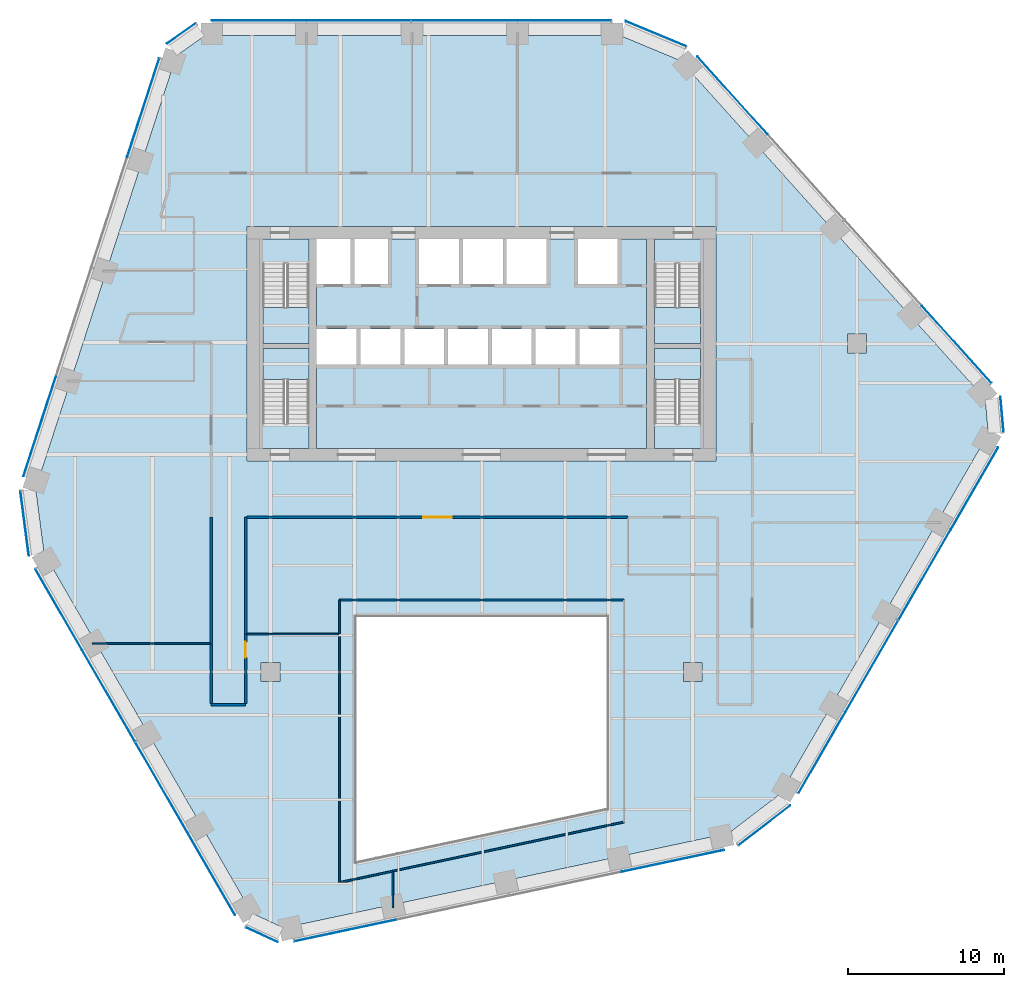
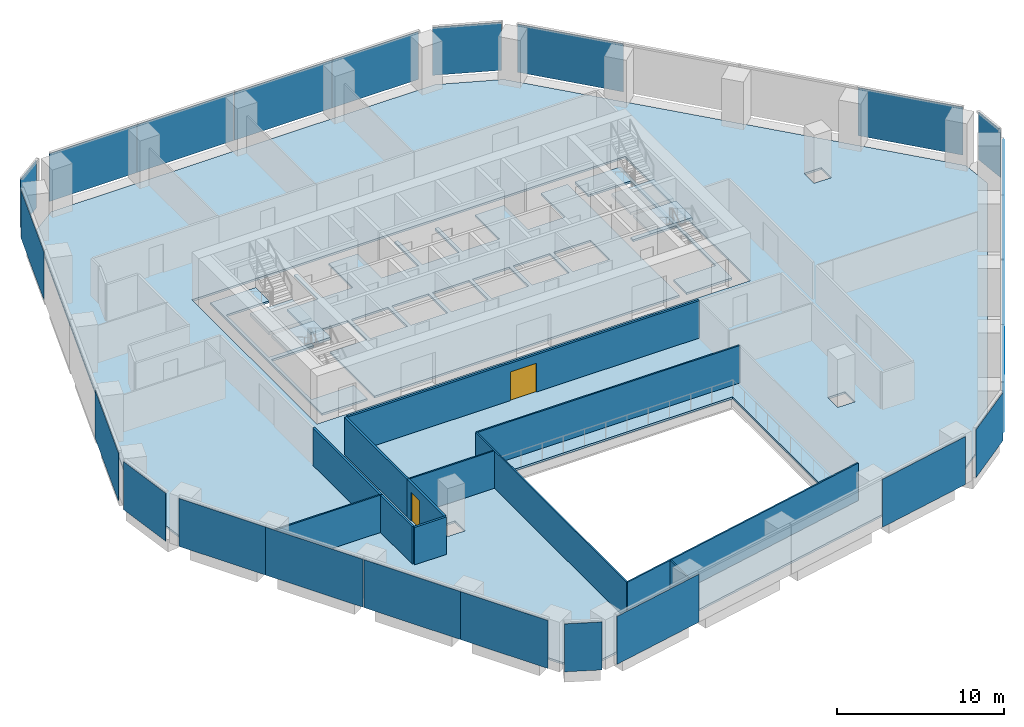
# One storey, part 10 of 16: 24 plates, 12 walls, 8 slabs, 2 doors, 2 openings, 16 elements without a shape of their own.
"""IFC4 building model written with IfcOpenShell, lengths in metres."""

from ifc_helpers import new_model, si_unit, direction, frame, frame_2d, origin, origin_2d, place, context, subcontext, project, spatial, polyline, rectangle, outline, extrude, material, layer, layer_set, type_object, element, fill, aggregate, save


model = new_model("IFC4")

# Units and contexts
model_context = context("Model", 3, precision=1e-05, world=origin(), true_north=direction((0.0, 1.0)))
body_context = subcontext(model_context, "Body", "Model", "MODEL_VIEW")
ifc_project = project(units=[si_unit("LENGTHUNIT", "METRE"), si_unit("AREAUNIT", "SQUARE_METRE"), si_unit("VOLUMEUNIT", "CUBIC_METRE"), si_unit("PLANEANGLEUNIT", "RADIAN"), si_unit("MASSUNIT", "GRAM", prefix="KILO")], contexts=[model_context])

# Site, building, storey
site_placement = place(None, origin())
site = spatial("IfcSite", under=ifc_project, at=site_placement, CompositionType="ELEMENT")
building_placement = place(site_placement, origin())
building = spatial("IfcBuilding", under=site, at=building_placement, Name="Isthmus Gate Tower", CompositionType="ELEMENT")
storey_placement = place(building_placement, frame((0.0, 0.0, 151.699951171875)))
storey = spatial("IfcBuildingStorey", under=building, at=storey_placement, Name="L37", CompositionType="ELEMENT", Elevation=151.699951171875)

# Slabs
ifc_material_1 = material(Name="Concrete f'c 40 MPa", Category="concrete")
ifc_layer_1 = layer(ifc_material_1, 0.14990234375)
ifc_layer_set_1 = layer_set([ifc_layer_1], Name="COMPOSITE FLOOR SLAB 150")
slab_type_1 = type_object("IfcSlabType", Name="COMPOSITE FLOOR SLAB 150", PredefinedType="FLOOR", material=ifc_layer_set_1)
slab_1_placement = place(storey_placement, frame((0.0, 0.0, -0.14990234375)))
element("IfcSlab", 1, at=slab_1_placement, inside=storey, type_object=slab_type_1, Name="str-slab-L37-1", PredefinedType="FLOOR", context=body_context, shape_type="SweptSolid", body=[
    extrude(outline(polyline([(12.72802734375, 25.599365234375), (32.21044921875, 3.9619140625), (32.410400390625, 1.736083984375), (19.116455078125, -21.289306640625), (15.8056640625, -23.822509765625), (-12.674072265625, -29.876220703125), (-14.701416015625, -28.936279296875), (-27.995361328125, -5.91064453125), (-28.53369140625, -1.77685546875), (-19.536376953125, 25.9140625), (-17.708740234375, 27.199951171875), (8.87890625, 27.199951171875), (12.72802734375, 25.599365234375)]), holes=[polyline([(-8.0, -10.0), (-8.0, -25.611083984375), (8.0, -22.210205078125), (8.0, -10.0), (-8.0, -10.0)]), polyline([(-14.10009765625, -12.89990234375), (-14.10009765625, -14.10009765625), (-12.89990234375, -14.10009765625), (-12.89990234375, -12.89990234375), (-14.10009765625, -12.89990234375)]), polyline([(14.10009765625, -12.89990234375), (12.89990234375, -12.89990234375), (12.89990234375, -14.10009765625), (14.10009765625, -14.10009765625), (14.10009765625, -12.89990234375)]), polyline([(-15.0, 15.0), (-15.0, 0.0), (15.0, 0.0), (15.0, 15.0), (-15.0, 15.0)]), polyline([(24.60009765625, 6.89990234375), (24.60009765625, 8.10009765625), (23.39990234375, 8.10009765625), (23.39990234375, 6.89990234375), (24.60009765625, 6.89990234375)])]), origin(), (0.0, 0.0, 1.0), 0.14990234375),
])
ifc_material_2 = material(Name="Concrete f'c 40 MPa", Category="concrete")
ifc_layer_2 = layer(ifc_material_2, 0.14990234375)
ifc_layer_set_2 = layer_set([ifc_layer_2], Name="CORE FLOOR SLAB 150")
slab_type_2 = type_object("IfcSlabType", Name="CORE FLOOR SLAB 150", PredefinedType="FLOOR", material=ifc_layer_set_2)
slab_2_placement = place(storey_placement, frame((0.0, 0.0, -0.14990234375)))
element("IfcSlab", 2, at=slab_2_placement, inside=storey, type_object=slab_type_2, Name="L37 core floor", PredefinedType="FLOOR", context=body_context, shape_type="SweptSolid", body=[
    extrude(outline(polyline([(-11.050048828125, 0.800048828125), (-11.050048828125, 2.402099609375), (-14.0, 2.402099609375), (-14.0, 7.199951171875), (-11.050048828125, 7.199951171875), (-11.050048828125, 7.5), (-14.0, 7.5), (-14.0, 12.597900390625), (-11.050048828125, 12.597900390625), (-11.050048828125, 14.199951171875), (-14.199951171875, 14.199951171875), (-14.199951171875, 0.800048828125), (-11.050048828125, 0.800048828125)])), origin(), (0.0, 0.0, 1.0), 0.14990234375),
])
slab_3_placement = place(storey_placement, frame((0.0, 0.0, -0.14990234375)))
element("IfcSlab", 3, at=slab_3_placement, inside=storey, type_object=slab_type_2, Name="L37 core floor", PredefinedType="FLOOR", context=body_context, shape_type="SweptSolid", body=[
    extrude(outline(polyline([(10.550048828125, 14.199951171875), (8.699951171875, 14.199951171875), (8.699951171875, 11.300048828125), (6.14990234375, 11.300048828125), (6.14990234375, 14.199951171875), (4.14990234375, 14.199951171875), (4.14990234375, 11.300048828125), (1.60009765625, 11.300048828125), (1.60009765625, 14.199951171875), (1.35009765625, 14.199951171875), (1.35009765625, 11.300048828125), (-1.199951171875, 11.300048828125), (-1.199951171875, 14.199951171875), (-1.449951171875, 14.199951171875), (-1.449951171875, 11.300048828125), (-4.0, 11.300048828125), (-4.0, 14.199951171875), (-6.0, 14.199951171875), (-6.0, 11.300048828125), (-8.14990234375, 11.300048828125), (-8.14990234375, 14.199951171875), (-8.39990234375, 14.199951171875), (-8.39990234375, 11.300048828125), (-10.550048828125, 11.300048828125), (-10.550048828125, 8.449951171875), (-8.0, 8.449951171875), (-8.0, 6.14990234375), (-10.550048828125, 6.14990234375), (-10.550048828125, 0.800048828125), (10.550048828125, 0.800048828125), (10.550048828125, 14.199951171875)]), holes=[polyline([(-5.199951171875, 8.449951171875), (-5.199951171875, 6.14990234375), (-7.75, 6.14990234375), (-7.75, 8.449951171875), (-5.199951171875, 8.449951171875)]), polyline([(-2.39990234375, 8.449951171875), (-2.39990234375, 6.14990234375), (-4.949951171875, 6.14990234375), (-4.949951171875, 8.449951171875), (-2.39990234375, 8.449951171875)]), polyline([(0.39990234375, 8.449951171875), (0.39990234375, 6.14990234375), (-2.14990234375, 6.14990234375), (-2.14990234375, 8.449951171875), (0.39990234375, 8.449951171875)]), polyline([(3.199951171875, 8.449951171875), (3.199951171875, 6.14990234375), (0.64990234375, 6.14990234375), (0.64990234375, 8.449951171875), (3.199951171875, 8.449951171875)]), polyline([(6.0, 8.449951171875), (6.0, 6.14990234375), (3.449951171875, 6.14990234375), (3.449951171875, 8.449951171875), (6.0, 8.449951171875)]), polyline([(8.800048828125, 8.449951171875), (8.800048828125, 6.14990234375), (6.25, 6.14990234375), (6.25, 8.449951171875), (8.800048828125, 8.449951171875)])]), origin(), (0.0, 0.0, 1.0), 0.14990234375),
])
slab_4_placement = place(storey_placement, frame((0.0, 0.0, -0.14990234375)))
element("IfcSlab", 4, at=slab_4_placement, inside=storey, type_object=slab_type_2, Name="L37 core floor", PredefinedType="FLOOR", context=body_context, shape_type="SweptSolid", body=[
    extrude(outline(polyline([(11.050048828125, 14.199951171875), (11.050048828125, 12.597900390625), (14.0, 12.597900390625), (14.0, 7.5), (11.050048828125, 7.5), (11.050048828125, 7.199951171875), (14.0, 7.199951171875), (14.0, 2.402099609375), (11.050048828125, 2.402099609375), (11.050048828125, 0.800048828125), (14.199951171875, 0.800048828125), (14.199951171875, 14.199951171875), (11.050048828125, 14.199951171875)])), origin(), (0.0, 0.0, 1.0), 0.14990234375),
])

# Curtain wall, plates
ifc_material_3 = material(Name="Aluminium, pale champagne anodised", Category="aluminium")
ifc_layer_3 = layer(ifc_material_3, 0.199951171875)
ifc_layer_set_3 = layer_set([ifc_layer_3], Name="CW-1 UNITISED CURTAIN WALL 200 DEEP")
curtain_wall_type = type_object("IfcCurtainWallType", Name="CW-1 UNITISED CURTAIN WALL 200 DEEP", PredefinedType="NOTDEFINED", material=ifc_layer_set_3)
curtain_wall_1_placement = place(storey_placement, origin())
curtain_wall_1 = element("IfcCurtainWall", 5, at=curtain_wall_1_placement, inside=storey, type_object=curtain_wall_type, Name="CW-1 N L37", PredefinedType="NOTDEFINED")
ifc_material_4 = material(Name="Laminated low-iron glass, pale blue tint", Category="glass")
ifc_layer_4 = layer(ifc_material_4, 0.035888671875)
ifc_layer_set_4 = layer_set([ifc_layer_4], Name="CW-1 CLEAR GLASS LITE 36")
plate_type = type_object("IfcPlateType", Name="CW-1 CLEAR GLASS LITE 36", PredefinedType="CURTAIN_PANEL", material=ifc_layer_set_4)
plate_1_placement = place(storey_placement, frame((5.283447265625, 28.181884765625, 0.0), z_axis=(0.0, 0.0, 1.0), x_axis=(-1.0, 0.0, 0.0)))
plate_1 = element("IfcPlate", 6, at=plate_1_placement, type_object=plate_type, Name="CW-1 glass lite", PredefinedType="CURTAIN_PANEL", context=body_context, shape_type="SweptSolid", body=[
    extrude(rectangle(XDim=5.990234375, YDim=0.035888671875, at=origin_2d()), origin(), (0.0, 0.0, 1.0), 3.510009765625),
])
plate_2_placement = place(storey_placement, frame((-1.086669921875, 28.181884765625, 0.0), z_axis=(0.0, 0.0, 1.0), x_axis=(-1.0, 0.0, 0.0)))
plate_2 = element("IfcPlate", 7, at=plate_2_placement, type_object=plate_type, Name="CW-1 glass lite", PredefinedType="CURTAIN_PANEL", context=body_context, shape_type="SweptSolid", body=[
    extrude(rectangle(XDim=6.750244140625, YDim=0.035888671875, at=origin_2d()), origin(), (0.0, 0.0, 1.0), 3.510009765625),
])
plate_3_placement = place(storey_placement, frame((-7.86669921875, 28.181884765625, 0.0), z_axis=(0.0, 0.0, 1.0), x_axis=(-1.0, 0.0, 0.0)))
plate_3 = element("IfcPlate", 8, at=plate_3_placement, type_object=plate_type, Name="CW-1 glass lite", PredefinedType="CURTAIN_PANEL", context=body_context, shape_type="SweptSolid", body=[
    extrude(rectangle(XDim=6.690185546875, YDim=0.035888671875, at=origin_2d()), origin(), (0.0, 0.0, 1.0), 3.510009765625),
])
plate_4_placement = place(storey_placement, frame((-14.23681640625, 28.181884765625, 0.0), z_axis=(0.0, 0.0, 1.0), x_axis=(-1.0, 0.0, 0.0)))
plate_4 = element("IfcPlate", 9, at=plate_4_placement, type_object=plate_type, Name="CW-1 glass lite", PredefinedType="CURTAIN_PANEL", context=body_context, shape_type="SweptSolid", body=[
    extrude(rectangle(XDim=6.050048828125, YDim=0.035888671875, at=origin_2d()), origin(), (0.0, 0.0, 1.0), 3.510009765625),
])
aggregate(curtain_wall_1, [plate_1, plate_2, plate_3, plate_4])

# Curtain wall, plate
curtain_wall_2_placement = place(storey_placement, origin())
curtain_wall_2 = element("IfcCurtainWall", 10, at=curtain_wall_2_placement, inside=storey, type_object=curtain_wall_type, Name="CW-1 N-NW L37", PredefinedType="NOTDEFINED")
plate_5_placement = place(storey_placement, frame((-19.2119140625, 27.343017578125, 0.0), z_axis=(0.0, 0.0, 1.0), x_axis=(-0.81785959165, -0.57541783805, 0.0)))
plate_5 = element("IfcPlate", 11, at=plate_5_placement, type_object=plate_type, Name="CW-1 glass lite", PredefinedType="CURTAIN_PANEL", context=body_context, shape_type="SweptSolid", body=[
    extrude(rectangle(XDim=2.258544921875, YDim=0.035888671875, at=origin_2d()), origin(), (0.0, 0.0, 1.0), 3.510009765625),
])
aggregate(curtain_wall_2, [plate_5])

# Curtain wall, plates
curtain_wall_3_placement = place(storey_placement, origin())
curtain_wall_3 = element("IfcCurtainWall", 12, at=curtain_wall_3_placement, inside=storey, type_object=curtain_wall_type, Name="CW-1 NW L37", PredefinedType="NOTDEFINED")
plate_6_placement = place(storey_placement, frame((-21.647216796875, 22.59521484375, 0.0), z_axis=(0.0, 0.0, 1.0), x_axis=(-0.309016994375, -0.951056516295, 0.0)))
plate_6 = element("IfcPlate", 13, at=plate_6_placement, type_object=plate_type, Name="CW-1 glass lite", PredefinedType="CURTAIN_PANEL", context=body_context, shape_type="SweptSolid", body=[
    extrude(rectangle(XDim=6.630859375, YDim=0.035888671875, at=origin_2d()), origin(), (0.0, 0.0, 1.0), 3.510009765625),
])
plate_7_placement = place(storey_placement, frame((-28.2734375, 2.202392578125, 0.0), z_axis=(0.0, 0.0, 1.0), x_axis=(-0.309016994375, -0.951056516295, 0.0)))
plate_7 = element("IfcPlate", 14, at=plate_7_placement, type_object=plate_type, Name="CW-1 glass lite", PredefinedType="CURTAIN_PANEL", context=body_context, shape_type="SweptSolid", body=[
    extrude(rectangle(XDim=6.690673828125, YDim=0.035888671875, at=origin_2d()), origin(), (0.0, 0.0, 1.0), 3.510009765625),
])
aggregate(curtain_wall_3, [plate_6, plate_7])

# Curtain wall, plate
curtain_wall_4_placement = place(storey_placement, origin())
curtain_wall_4 = element("IfcCurtainWall", 15, at=curtain_wall_4_placement, inside=storey, type_object=curtain_wall_type, Name="CW-1 NW-SW L37", PredefinedType="NOTDEFINED")
plate_8_placement = place(storey_placement, frame((-29.234619140625, -3.9990234375, 0.0), z_axis=(0.0, 0.0, 1.0), x_axis=(0.129164534, -0.991623175988, 0.0)))
plate_8 = element("IfcPlate", 16, at=plate_8_placement, type_object=plate_type, Name="CW-1 glass lite", PredefinedType="CURTAIN_PANEL", context=body_context, shape_type="SweptSolid", body=[
    extrude(rectangle(XDim=4.181396484375, YDim=0.035888671875, at=origin_2d()), origin(), (0.0, 0.0, 1.0), 3.510009765625),
])
aggregate(curtain_wall_4, [plate_8])

# Curtain wall, plates
curtain_wall_5_placement = place(storey_placement, origin())
curtain_wall_5 = element("IfcCurtainWall", 17, at=curtain_wall_5_placement, inside=storey, type_object=curtain_wall_type, Name="CW-1 SW L37", PredefinedType="NOTDEFINED")
plate_9_placement = place(storey_placement, frame((-27.048095703125, -9.515380859375, 0.0), z_axis=(0.0, 0.0, 1.0), x_axis=(0.5, -0.866025403784, 0.0)))
plate_9 = element("IfcPlate", 18, at=plate_9_placement, type_object=plate_type, Name="CW-1 glass lite", PredefinedType="CURTAIN_PANEL", context=body_context, shape_type="SweptSolid", body=[
    extrude(rectangle(XDim=5.990234375, YDim=0.035888671875, at=origin_2d()), origin(), (0.0, 0.0, 1.0), 3.510009765625),
])
plate_10_placement = place(storey_placement, frame((-23.863037109375, -15.031982421875, 0.0), z_axis=(0.0, 0.0, 1.0), x_axis=(0.5, -0.866025403784, 0.0)))
plate_10 = element("IfcPlate", 19, at=plate_10_placement, type_object=plate_type, Name="CW-1 glass lite", PredefinedType="CURTAIN_PANEL", context=body_context, shape_type="SweptSolid", body=[
    extrude(rectangle(XDim=6.750244140625, YDim=0.035888671875, at=origin_2d()), origin(), (0.0, 0.0, 1.0), 3.510009765625),
])
plate_11_placement = place(storey_placement, frame((-20.472900390625, -20.90380859375, 0.0), z_axis=(0.0, 0.0, 1.0), x_axis=(0.5, -0.866025403784, 0.0)))
plate_11 = element("IfcPlate", 20, at=plate_11_placement, type_object=plate_type, Name="CW-1 glass lite", PredefinedType="CURTAIN_PANEL", context=body_context, shape_type="SweptSolid", body=[
    extrude(rectangle(XDim=6.690185546875, YDim=0.035888671875, at=origin_2d()), origin(), (0.0, 0.0, 1.0), 3.510009765625),
])
plate_12_placement = place(storey_placement, frame((-17.287841796875, -26.42041015625, 0.0), z_axis=(0.0, 0.0, 1.0), x_axis=(0.5, -0.866025403784, 0.0)))
plate_12 = element("IfcPlate", 21, at=plate_12_placement, type_object=plate_type, Name="CW-1 glass lite", PredefinedType="CURTAIN_PANEL", context=body_context, shape_type="SweptSolid", body=[
    extrude(rectangle(XDim=6.050048828125, YDim=0.035888671875, at=origin_2d()), origin(), (0.0, 0.0, 1.0), 3.510009765625),
])
aggregate(curtain_wall_5, [plate_9, plate_10, plate_11, plate_12])

# Curtain wall, plate
curtain_wall_6_placement = place(storey_placement, origin())
curtain_wall_6 = element("IfcCurtainWall", 22, at=curtain_wall_6_placement, inside=storey, type_object=curtain_wall_type, Name="CW-1 SW-S L37", PredefinedType="NOTDEFINED")
plate_13_placement = place(storey_placement, frame((-14.07373046875, -30.3095703125, 0.0), z_axis=(0.0, 0.0, 1.0), x_axis=(0.907256261367, -0.420578264073, 0.0)))
plate_13 = element("IfcPlate", 23, at=plate_13_placement, type_object=plate_type, Name="CW-1 glass lite", PredefinedType="CURTAIN_PANEL", context=body_context, shape_type="SweptSolid", body=[
    extrude(rectangle(XDim=2.258544921875, YDim=0.035888671875, at=origin_2d()), origin(), (0.0, 0.0, 1.0), 3.510009765625),
])
aggregate(curtain_wall_6, [plate_13])

# Curtain wall, plates
curtain_wall_7_placement = place(storey_placement, origin())
curtain_wall_7 = element("IfcCurtainWall", 24, at=curtain_wall_7_placement, inside=storey, type_object=curtain_wall_type, Name="CW-1 S L37", PredefinedType="NOTDEFINED")
plate_14_placement = place(storey_placement, frame((-8.744384765625, -30.044677734375, 0.0), z_axis=(0.0, 0.0, 1.0), x_axis=(0.978147600734, 0.207911690818, 0.0)))
plate_14 = element("IfcPlate", 25, at=plate_14_placement, type_object=plate_type, Name="CW-1 glass lite", PredefinedType="CURTAIN_PANEL", context=body_context, shape_type="SweptSolid", body=[
    extrude(rectangle(XDim=6.630859375, YDim=0.035888671875, at=origin_2d()), origin(), (0.0, 0.0, 1.0), 3.510009765625),
])
plate_15_placement = place(storey_placement, frame((12.2294921875, -25.586669921875, 0.0), z_axis=(0.0, 0.0, 1.0), x_axis=(0.978147600734, 0.207911690818, 0.0)))
plate_15 = element("IfcPlate", 26, at=plate_15_placement, type_object=plate_type, Name="CW-1 glass lite", PredefinedType="CURTAIN_PANEL", context=body_context, shape_type="SweptSolid", body=[
    extrude(rectangle(XDim=6.690673828125, YDim=0.035888671875, at=origin_2d()), origin(), (0.0, 0.0, 1.0), 3.510009765625),
])
aggregate(curtain_wall_7, [plate_14, plate_15])

# Curtain wall, plate
curtain_wall_8_placement = place(storey_placement, origin())
curtain_wall_8 = element("IfcCurtainWall", 27, at=curtain_wall_8_placement, inside=storey, type_object=curtain_wall_type, Name="CW-1 S-SE L37", PredefinedType="NOTDEFINED")
plate_16_placement = place(storey_placement, frame((18.08056640625, -23.318359375, 0.0), z_axis=(0.0, 0.0, 1.0), x_axis=(0.794188594387, 0.607671355706, 0.0)))
plate_16 = element("IfcPlate", 28, at=plate_16_placement, type_object=plate_type, Name="CW-1 glass lite", PredefinedType="CURTAIN_PANEL", context=body_context, shape_type="SweptSolid", body=[
    extrude(rectangle(XDim=4.181396484375, YDim=0.035888671875, at=origin_2d()), origin(), (0.0, 0.0, 1.0), 3.510009765625),
])
aggregate(curtain_wall_8, [plate_16])

# Curtain wall, plates
curtain_wall_9_placement = place(storey_placement, origin())
curtain_wall_9 = element("IfcCurtainWall", 29, at=curtain_wall_9_placement, inside=storey, type_object=curtain_wall_type, Name="CW-1 SE L37", PredefinedType="NOTDEFINED")
plate_17_placement = place(storey_placement, frame((21.7646484375, -18.666748046875, 0.0), z_axis=(0.0, 0.0, 1.0), x_axis=(0.5, 0.866025403784, 0.0)))
plate_17 = element("IfcPlate", 30, at=plate_17_placement, type_object=plate_type, Name="CW-1 glass lite", PredefinedType="CURTAIN_PANEL", context=body_context, shape_type="SweptSolid", body=[
    extrude(rectangle(XDim=5.990234375, YDim=0.035888671875, at=origin_2d()), origin(), (0.0, 0.0, 1.0), 3.510009765625),
])
plate_18_placement = place(storey_placement, frame((24.94970703125, -13.14990234375, 0.0), z_axis=(0.0, 0.0, 1.0), x_axis=(0.5, 0.866025403784, 0.0)))
plate_18 = element("IfcPlate", 31, at=plate_18_placement, type_object=plate_type, Name="CW-1 glass lite", PredefinedType="CURTAIN_PANEL", context=body_context, shape_type="SweptSolid", body=[
    extrude(rectangle(XDim=6.750244140625, YDim=0.035888671875, at=origin_2d()), origin(), (0.0, 0.0, 1.0), 3.510009765625),
])
plate_19_placement = place(storey_placement, frame((28.339599609375, -7.278076171875, 0.0), z_axis=(0.0, 0.0, 1.0), x_axis=(0.5, 0.866025403784, 0.0)))
plate_19 = element("IfcPlate", 32, at=plate_19_placement, type_object=plate_type, Name="CW-1 glass lite", PredefinedType="CURTAIN_PANEL", context=body_context, shape_type="SweptSolid", body=[
    extrude(rectangle(XDim=6.690185546875, YDim=0.035888671875, at=origin_2d()), origin(), (0.0, 0.0, 1.0), 3.510009765625),
])
plate_20_placement = place(storey_placement, frame((31.524658203125, -1.761474609375, 0.0), z_axis=(0.0, 0.0, 1.0), x_axis=(0.5, 0.866025403784, 0.0)))
plate_20 = element("IfcPlate", 33, at=plate_20_placement, type_object=plate_type, Name="CW-1 glass lite", PredefinedType="CURTAIN_PANEL", context=body_context, shape_type="SweptSolid", body=[
    extrude(rectangle(XDim=6.050048828125, YDim=0.035888671875, at=origin_2d()), origin(), (0.0, 0.0, 1.0), 3.510009765625),
])
aggregate(curtain_wall_9, [plate_17, plate_18, plate_19, plate_20])

# Curtain wall, plate
curtain_wall_10_placement = place(storey_placement, origin())
curtain_wall_10 = element("IfcCurtainWall", 34, at=curtain_wall_10_placement, inside=storey, type_object=curtain_wall_type, Name="CW-1 SE-NE L37", PredefinedType="NOTDEFINED")
plate_21_placement = place(storey_placement, frame((33.285888671875, 2.966552734375, 0.0), z_axis=(0.0, 0.0, 1.0), x_axis=(-0.089396669717, 0.995996102123, 0.0)))
plate_21 = element("IfcPlate", 35, at=plate_21_placement, type_object=plate_type, Name="CW-1 glass lite", PredefinedType="CURTAIN_PANEL", context=body_context, shape_type="SweptSolid", body=[
    extrude(rectangle(XDim=2.258544921875, YDim=0.035888671875, at=origin_2d()), origin(), (0.0, 0.0, 1.0), 3.510009765625),
])
aggregate(curtain_wall_10, [plate_21])

# Curtain wall, plates
curtain_wall_11_placement = place(storey_placement, origin())
curtain_wall_11 = element("IfcCurtainWall", 36, at=curtain_wall_11_placement, inside=storey, type_object=curtain_wall_type, Name="CW-1 NE L37", PredefinedType="NOTDEFINED")
plate_22_placement = place(storey_placement, frame((30.3916015625, 7.449462890625, 0.0), z_axis=(0.0, 0.0, 1.0), x_axis=(-0.669130606359, 0.743144825477, 0.0)))
plate_22 = element("IfcPlate", 37, at=plate_22_placement, type_object=plate_type, Name="CW-1 glass lite", PredefinedType="CURTAIN_PANEL", context=body_context, shape_type="SweptSolid", body=[
    extrude(rectangle(XDim=6.630859375, YDim=0.035888671875, at=origin_2d()), origin(), (0.0, 0.0, 1.0), 3.510009765625),
])
plate_23_placement = place(storey_placement, frame((16.0439453125, 23.38427734375, 0.0), z_axis=(0.0, 0.0, 1.0), x_axis=(-0.669130606359, 0.743144825477, 0.0)))
plate_23 = element("IfcPlate", 38, at=plate_23_placement, type_object=plate_type, Name="CW-1 glass lite", PredefinedType="CURTAIN_PANEL", context=body_context, shape_type="SweptSolid", body=[
    extrude(rectangle(XDim=6.690673828125, YDim=0.035888671875, at=origin_2d()), origin(), (0.0, 0.0, 1.0), 3.510009765625),
])
aggregate(curtain_wall_11, [plate_22, plate_23])

# Curtain wall, plate
curtain_wall_12_placement = place(storey_placement, origin())
curtain_wall_12 = element("IfcCurtainWall", 39, at=curtain_wall_12_placement, inside=storey, type_object=curtain_wall_type, Name="CW-1 NE-N L37", PredefinedType="NOTDEFINED")
plate_24_placement = place(storey_placement, frame((11.154052734375, 27.3173828125, 0.0), z_axis=(0.0, 0.0, 1.0), x_axis=(-0.923353128387, 0.383951820282, 0.0)))
plate_24 = element("IfcPlate", 40, at=plate_24_placement, type_object=plate_type, Name="CW-1 glass lite", PredefinedType="CURTAIN_PANEL", context=body_context, shape_type="SweptSolid", body=[
    extrude(rectangle(XDim=4.181396484375, YDim=0.035888671875, at=origin_2d()), origin(), (0.0, 0.0, 1.0), 3.510009765625),
])
aggregate(curtain_wall_12, [plate_24])

# Stair, slab
ifc_material_5 = material(Name="Concrete f'c 40 MPa", Category="concrete")
stair_type = type_object("IfcStairType", Name="CORE STAIR 22 RISERS", PredefinedType="HALF_TURN_STAIR", material=ifc_material_5)
stair_1_placement = place(storey_placement, origin())
stair_1 = element("IfcStair", 41, at=stair_1_placement, inside=storey, type_object=stair_type, Name="L37 Exit Stair 1", PredefinedType="HALF_TURN_STAIR")
ifc_material_6 = material(Name="Concrete f'c 40 MPa", Category="concrete")
ifc_layer_5 = layer(ifc_material_6, 0.199951171875)
ifc_layer_set_5 = layer_set([ifc_layer_5])
slab_type_3 = type_object("IfcSlabType", Name="STAIR LANDING RC 200", PredefinedType="LANDING", material=ifc_layer_set_5)
slab_5_placement = place(storey_placement, frame((0.0, 0.0, 1.625)))
slab_5 = element("IfcSlab", 42, at=slab_5_placement, type_object=slab_type_3, Name="ST1 landing 1", PredefinedType="LANDING", context=body_context, shape_type="SweptSolid", body=[
    extrude(outline(polyline([(-14.0, 9.800048828125), (-14.0, 7.5), (-11.050048828125, 7.5), (-11.050048828125, 9.800048828125), (-14.0, 9.800048828125)])), origin(), (0.0, 0.0, 1.0), 0.199951171875),
])
aggregate(stair_1, [slab_5])

stair_2_placement = place(storey_placement, origin())
stair_2 = element("IfcStair", 43, at=stair_2_placement, inside=storey, type_object=stair_type, Name="L37 Exit Stair 2", PredefinedType="HALF_TURN_STAIR")
slab_6_placement = place(storey_placement, frame((0.0, 0.0, 1.625)))
slab_6 = element("IfcSlab", 44, at=slab_6_placement, type_object=slab_type_3, Name="ST2 landing 1", PredefinedType="LANDING", context=body_context, shape_type="SweptSolid", body=[
    extrude(outline(polyline([(11.050048828125, 9.800048828125), (11.050048828125, 7.5), (14.0, 7.5), (14.0, 9.800048828125), (11.050048828125, 9.800048828125)])), origin(), (0.0, 0.0, 1.0), 0.199951171875),
])
aggregate(stair_2, [slab_6])

stair_3_placement = place(storey_placement, origin())
stair_3 = element("IfcStair", 45, at=stair_3_placement, inside=storey, type_object=stair_type, Name="L37 Exit Stair 7", PredefinedType="HALF_TURN_STAIR")
slab_7_placement = place(storey_placement, frame((0.0, 0.0, 1.625)))
slab_7 = element("IfcSlab", 46, at=slab_7_placement, type_object=slab_type_3, Name="ST7 landing 1", PredefinedType="LANDING", context=body_context, shape_type="SweptSolid", body=[
    extrude(outline(polyline([(-11.050048828125, 5.199951171875), (-11.050048828125, 7.199951171875), (-14.0, 7.199951171875), (-14.0, 5.199951171875), (-11.050048828125, 5.199951171875)])), origin(), (0.0, 0.0, 1.0), 0.199951171875),
])
aggregate(stair_3, [slab_7])

stair_4_placement = place(storey_placement, origin())
stair_4 = element("IfcStair", 47, at=stair_4_placement, inside=storey, type_object=stair_type, Name="L37 Exit Stair 8", PredefinedType="HALF_TURN_STAIR")
slab_8_placement = place(storey_placement, frame((0.0, 0.0, 1.625)))
slab_8 = element("IfcSlab", 48, at=slab_8_placement, type_object=slab_type_3, Name="ST8 landing 1", PredefinedType="LANDING", context=body_context, shape_type="SweptSolid", body=[
    extrude(outline(polyline([(14.0, 5.199951171875), (14.0, 7.199951171875), (11.050048828125, 7.199951171875), (11.050048828125, 5.199951171875), (14.0, 5.199951171875)])), origin(), (0.0, 0.0, 1.0), 0.199951171875),
])
aggregate(stair_4, [slab_8])

# Walls
ifc_material_7 = material(Name="Fire-rated laminated glass in steel frame", Category="steel")
ifc_layer_6 = layer(ifc_material_7, 0.10009765625)
ifc_layer_set_6 = layer_set([ifc_layer_6], Name="ATRIUM SCREEN GLAZED WALL 100 120 MIN")
wall_type_1 = type_object("IfcWallType", Name="ATRIUM SCREEN GLAZED WALL 100 120 MIN", PredefinedType="PARTITIONING", material=ifc_layer_set_6)
wall_1_placement = place(storey_placement, frame((-9.10009765625, -8.89990234375, 0.0), z_axis=(0.0, 0.0, 1.0), x_axis=(1.0, 0.0, 0.0)))
element("IfcWall", 49, at=wall_1_placement, inside=storey, type_object=wall_type_1, Name="L37 atrium screen", PredefinedType="PARTITIONING", context=body_context, shape_type="SweptSolid", body=[
    extrude(rectangle(XDim=18.2001953125, YDim=0.10009765625, at=frame_2d((9.10009765625, 0.0))), origin(), (0.0, 0.0, 1.0), 2.7412109375),
])
wall_2_placement = place(storey_placement, frame((9.10009765625, -23.100830078125, 0.0), z_axis=(0.0, 0.0, 1.0), x_axis=(-0.978146710971, -0.207915876778, 0.0)))
element("IfcWall", 50, at=wall_2_placement, inside=storey, type_object=wall_type_1, Name="L37 atrium screen", PredefinedType="PARTITIONING", context=body_context, shape_type="SweptSolid", body=[
    extrude(rectangle(XDim=18.60693359375, YDim=0.10009765625, at=frame_2d((9.303466796875, 0.0))), origin(), (0.0, 0.0, 1.0), 2.7412109375),
])
wall_3_placement = place(storey_placement, frame((-9.10009765625, -26.969482421875, 0.0), z_axis=(0.0, 0.0, 1.0), x_axis=(0.0, 1.0, 0.0)))
element("IfcWall", 51, at=wall_3_placement, inside=storey, type_object=wall_type_1, Name="L37 atrium screen", PredefinedType="PARTITIONING", context=body_context, shape_type="SweptSolid", body=[
    extrude(rectangle(XDim=18.069580078125, YDim=0.10009765625, at=frame_2d((9.03466796875, 0.0))), origin(), (0.0, 0.0, 1.0), 2.7412109375),
])

# Wall, opening, door
ifc_material_8 = material(Name="Gypsum board on steel studs, fire-rated", Category="steel")
ifc_layer_7 = layer(ifc_material_8, 0.14990234375)
ifc_layer_set_7 = layer_set([ifc_layer_7], Name="CORRIDOR WALL 150 60 MIN")
wall_type_2 = type_object("IfcWallType", Name="CORRIDOR WALL 150 60 MIN", PredefinedType="PARTITIONING", material=ifc_layer_set_7)
wall_4_placement = place(storey_placement, frame((9.35009765625, -3.60009765625, 0.0), z_axis=(0.0, 0.0, 1.0), x_axis=(-1.0, 0.0, 0.0)))
wall_4 = element("IfcWall", 52, at=wall_4_placement, inside=storey, type_object=wall_type_2, Name="L37 Corridor Wall 150 60 Min", PredefinedType="PARTITIONING", context=body_context, shape_type="SweptSolid", body=[
    extrude(rectangle(XDim=24.35009765625, YDim=0.14990234375, at=frame_2d((12.175048828125, 0.0))), origin(), (0.0, 0.0, 1.0), 2.7412109375),
])
opening_1_placement = place(wall_4_placement, frame((11.27490234375, 0.0, 0.0)))
opening_1 = element("IfcOpeningElement", 53, at=opening_1_placement, cuts=wall_4, Name="Opening DT-T3C-09", PredefinedType="OPENING", context=body_context, shape_type="SweptSolid", body=[
    extrude(rectangle(XDim=1.800048828125, YDim=2.10009765625, at=frame_2d((0.89990234375, 1.050048828125))), frame((0.0, 0.0849609375, 0.0), z_axis=(0.0, -1.0, 0.0), x_axis=(1.0, 0.0, 0.0)), (0.0, 0.0, 1.0), 0.169921875),
])
ifc_material_9 = material(Name="Solid core timber door leaf, fire-rated", Category="wood")
door_type_1 = type_object("IfcDoorType", Name="FIRE DOOR ROOM 1800 X 2100 60 MIN", OperationType="DOUBLE_DOOR_DOUBLE_SWING", PredefinedType="DOOR", material=ifc_material_9)
door_1_placement = place(opening_1_placement, origin())
door_1 = element("IfcDoor", 54, at=door_1_placement, inside=storey, type_object=door_type_1, Name="L37 room door", OperationType="DOUBLE_DOOR_DOUBLE_SWING", OverallHeight=2.10009765625, OverallWidth=1.800048828125, PredefinedType="DOOR", context=body_context, shape_type="SweptSolid", body=[
    extrude(rectangle(XDim=1.800048828125, YDim=2.10009765625, at=frame_2d((0.89990234375, 1.050048828125))), frame((0.0, 0.02490234375, 0.0), z_axis=(0.0, -1.0, 0.0), x_axis=(1.0, 0.0, 0.0)), (0.0, 0.0, 1.0), 0.050048828125),
])
fill(opening_1, door_1)

# Walls
wall_5_placement = place(storey_placement, frame((-15.10009765625, -3.60009765625, 0.0), z_axis=(0.0, 0.0, 1.0), x_axis=(0.0, -1.0, 0.0)))
element("IfcWall", 55, at=wall_5_placement, inside=storey, type_object=wall_type_2, Name="L37 Corridor Wall 150 60 Min", PredefinedType="PARTITIONING", context=body_context, shape_type="SweptSolid", body=[
    extrude(rectangle(XDim=7.47998046875, YDim=0.14990234375, at=frame_2d((3.739990234375, 0.0))), origin(), (0.0, 0.0, 1.0), 2.7412109375),
])
wall_6_placement = place(storey_placement, frame((-15.10009765625, -15.60009765625, 0.0), z_axis=(0.0, 0.0, 1.0), x_axis=(-1.0, 0.0, 0.0)))
element("IfcWall", 56, at=wall_6_placement, inside=storey, type_object=wall_type_2, Name="L37 Corridor Wall 150 60 Min", PredefinedType="PARTITIONING", context=body_context, shape_type="SweptSolid", body=[
    extrude(rectangle(XDim=2.199951171875, YDim=0.14990234375, at=frame_2d((1.10009765625, 0.0))), origin(), (0.0, 0.0, 1.0), 2.7412109375),
])

# Wall, opening, door
wall_7_placement = place(storey_placement, frame((-15.10009765625, -11.080078125, 0.0), z_axis=(0.0, 0.0, 1.0), x_axis=(0.0, -1.0, 0.0)))
wall_7 = element("IfcWall", 57, at=wall_7_placement, inside=storey, type_object=wall_type_2, Name="L37 Corridor Wall 150 60 Min", PredefinedType="PARTITIONING", context=body_context, shape_type="SweptSolid", body=[
    extrude(rectangle(XDim=4.44482421875, YDim=0.14990234375, at=frame_2d((2.222412109375, 0.0))), origin(), (0.0, 0.0, 1.0), 2.7412109375),
])
opening_2_placement = place(wall_7_placement, frame((0.5, 0.0, 0.0)))
opening_2 = element("IfcOpeningElement", 58, at=opening_2_placement, cuts=wall_7, Name="Opening DT-T3C-11", PredefinedType="OPENING", context=body_context, shape_type="SweptSolid", body=[
    extrude(rectangle(XDim=1.0, YDim=2.10009765625, at=frame_2d((0.5, 1.050048828125))), frame((0.0, 0.0849609375, 0.0), z_axis=(0.0, -1.0, 0.0), x_axis=(1.0, 0.0, 0.0)), (0.0, 0.0, 1.0), 0.169921875),
])
ifc_material_10 = material(Name="Solid core timber door leaf, fire-rated", Category="wood")
door_type_2 = type_object("IfcDoorType", Name="FIRE DOOR ROOM 1000 X 2100 60 MIN", OperationType="SINGLE_SWING_LEFT", PredefinedType="DOOR", material=ifc_material_10)
door_2_placement = place(opening_2_placement, origin())
door_2 = element("IfcDoor", 59, at=door_2_placement, inside=storey, type_object=door_type_2, Name="L37 room door", OperationType="SINGLE_SWING_LEFT", OverallHeight=2.10009765625, OverallWidth=1.0, PredefinedType="DOOR", context=body_context, shape_type="SweptSolid", body=[
    extrude(rectangle(XDim=1.0, YDim=2.10009765625, at=frame_2d((0.5, 1.050048828125))), frame((0.0, 0.02490234375, 0.0), z_axis=(0.0, -1.0, 0.0), x_axis=(1.0, 0.0, 0.0)), (0.0, 0.0, 1.0), 0.050048828125),
])
fill(opening_2, door_2)

# Walls
wall_8_placement = place(storey_placement, frame((-17.300048828125, -11.66796875, 0.0), z_axis=(0.0, 0.0, 1.0), x_axis=(0.0, 1.0, 0.0)))
element("IfcWall", 60, at=wall_8_placement, inside=storey, type_object=wall_type_2, Name="L37 Corridor Wall 150 60 Min", PredefinedType="PARTITIONING", context=body_context, shape_type="SweptSolid", body=[
    extrude(rectangle(XDim=8.06591796875, YDim=0.14990234375, at=frame_2d((4.032958984375, 0.0))), origin(), (0.0, 0.0, 1.0), 2.7412109375),
])
wall_9_placement = place(storey_placement, frame((-17.300048828125, -15.52490234375, 0.0), z_axis=(0.0, 0.0, 1.0), x_axis=(0.0, 1.0, 0.0)))
element("IfcWall", 61, at=wall_9_placement, inside=storey, type_object=wall_type_2, Name="L37 Corridor Wall 150 60 Min", PredefinedType="PARTITIONING", context=body_context, shape_type="SweptSolid", body=[
    extrude(rectangle(XDim=3.806884765625, YDim=0.14990234375, at=frame_2d((1.9033203125, 0.0))), origin(), (0.0, 0.0, 1.0), 2.7412109375),
])
ifc_material_11 = material(Name="Gypsum board on steel studs, fire-rated", Category="steel")
ifc_layer_8 = layer(ifc_material_11, 0.10009765625)
ifc_layer_set_8 = layer_set([ifc_layer_8], Name="ROOM PARTITION 100 30 MIN")
wall_type_3 = type_object("IfcWallType", Name="ROOM PARTITION 100 30 MIN", PredefinedType="PARTITIONING", material=ifc_layer_set_8)
wall_10_placement = place(storey_placement, frame((-24.902099609375, -11.66796875, 0.0), z_axis=(0.0, 0.0, 1.0), x_axis=(1.0, 0.0, 0.0)))
element("IfcWall", 62, at=wall_10_placement, inside=storey, type_object=wall_type_3, Name="L37 Room Partition 100 30 Min", PredefinedType="PARTITIONING", context=body_context, shape_type="SweptSolid", body=[
    extrude(rectangle(XDim=7.527099609375, YDim=0.10009765625, at=frame_2d((3.763671875, 0.0))), origin(), (0.0, 0.0, 1.0), 2.7412109375),
])
wall_11_placement = place(storey_placement, frame((-15.02490234375, -11.080078125, 0.0), z_axis=(0.0, 0.0, 1.0), x_axis=(1.0, 0.0, 0.0)))
element("IfcWall", 63, at=wall_11_placement, inside=storey, type_object=wall_type_3, Name="L37 Room Partition 100 30 Min", PredefinedType="PARTITIONING", context=body_context, shape_type="SweptSolid", body=[
    extrude(rectangle(XDim=5.875, YDim=0.10009765625, at=frame_2d((2.9375, 0.0))), origin(), (0.0, 0.0, 1.0), 2.7412109375),
])
wall_12_placement = place(storey_placement, frame((-5.68505859375, -28.594970703125, 0.0), z_axis=(0.0, 0.0, 1.0), x_axis=(0.0, 1.0, 0.0)))
element("IfcWall", 64, at=wall_12_placement, inside=storey, type_object=wall_type_3, Name="L37 Room Partition 100 30 Min", PredefinedType="PARTITIONING", context=body_context, shape_type="SweptSolid", body=[
    extrude(rectangle(XDim=2.300048828125, YDim=0.10009765625, at=frame_2d((1.14990234375, 0.0))), origin(), (0.0, 0.0, 1.0), 2.7412109375),
])

save(model, "model.ifc")
